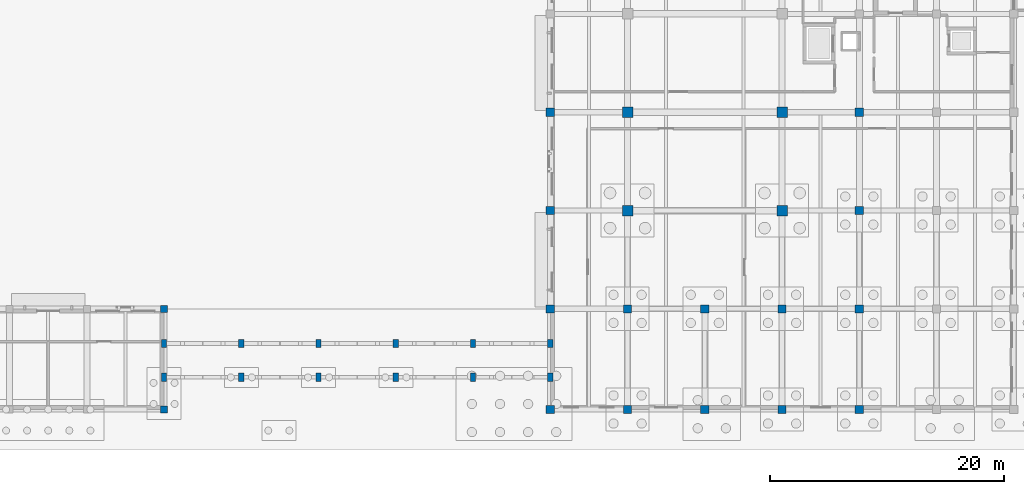
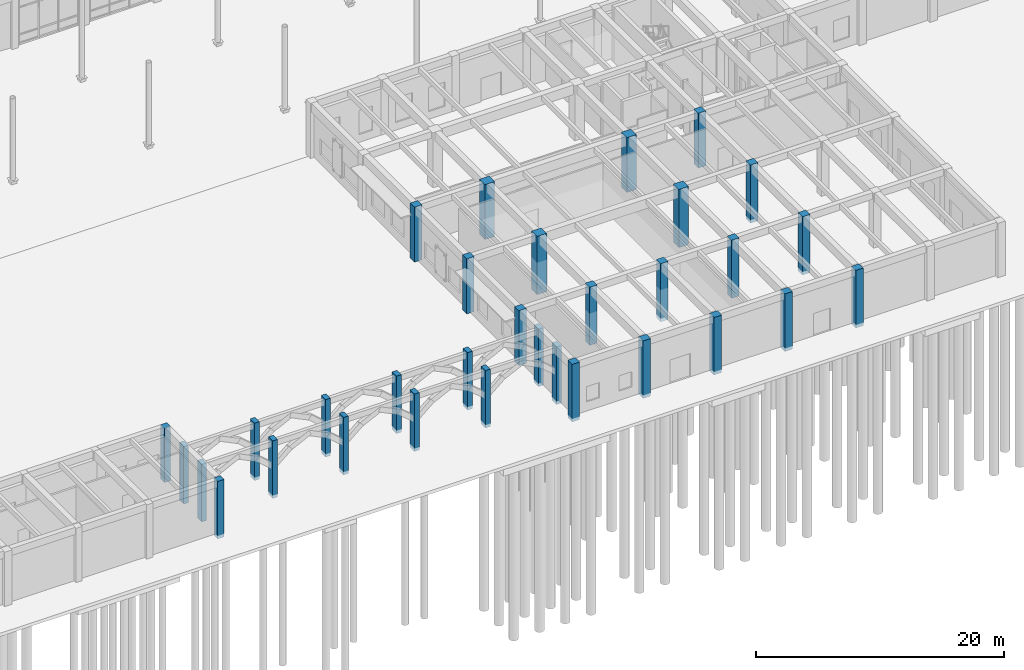
# One storey, part 12 of 82: 32 columns.
"""IFC4 building model written with IfcOpenShell, lengths in metres."""

import ifcopenshell
import ifcopenshell.guid

model = None  # the IFC model being written
_history = None  # IfcOwnerHistory: only IFC2X3 demands one
_inside = {}  # id of a spatial element -> (the spatial element, [elements in it])
_under = {}  # id of a project, library or spatial element -> (it, [spatial elements below it])
_declared = {}  # id of a project -> (the project, [libraries it declares])
_typed = {}  # id of a type object -> (the type object, [elements of that type])
_made_of = {}  # id of a material, layer set ... -> (it, [elements and type objects made of it])


def new_model(schema):
    """Start an empty IFC model of exactly this schema.

    Asked for "IFC4X3", IfcOpenShell would pick the latest addendum, in which some entities
    have other attributes; the version numbers below select the first issue.
    IFC2X3 requires an IfcOwnerHistory on every rooted entity: one is made here for all.
    """
    global model, _history
    if schema == "IFC4X3":
        model = ifcopenshell.file(schema_version=(4, 3, 0, 0))
    else:
        model = ifcopenshell.file(schema=schema)
    _inside.clear()
    _under.clear()
    _declared.clear()
    _typed.clear()
    _made_of.clear()
    _history = None
    if model.schema == "IFC2X3":
        org = make("IfcOrganization", Name="unknown")
        user = make(
            "IfcPersonAndOrganization",
            ThePerson=make("IfcPerson", FamilyName="unknown"),
            TheOrganization=org,
        )
        app = make(
            "IfcApplication",
            ApplicationDeveloper=org,
            Version="unknown",
            ApplicationFullName="unknown",
            ApplicationIdentifier="unknown",
        )
        _history = make(
            "IfcOwnerHistory",
            OwningUser=user,
            OwningApplication=app,
            ChangeAction="ADDED",
            CreationDate=0,
        )
    return model


def make(cls, **values):
    """One entity of the class cls with the attributes given. An attribute that is None is left unset."""
    return model.create_entity(
        cls, **{name: value for name, value in values.items() if value is not None}
    )


def rooted(cls, **values):
    """An entity with a GlobalId (a new one), such as an element, a storey or a relation."""
    return make(cls, GlobalId=ifcopenshell.guid.new(), OwnerHistory=_history, **values)


def si_unit(unit_type, name, prefix=None):
    """IfcSIUnit, for example si_unit("LENGTHUNIT", "METRE", prefix="MILLI")."""
    return make("IfcSIUnit", UnitType=unit_type, Prefix=prefix, Name=name)


def assignment(units):
    """IfcUnitAssignment: the units of a project."""
    return None if units is None else make("IfcUnitAssignment", Units=units)


def point(xyz):
    """IfcCartesianPoint."""
    return None if xyz is None else make("IfcCartesianPoint", Coordinates=xyz)


def direction(xyz):
    """IfcDirection."""
    return None if xyz is None else make("IfcDirection", DirectionRatios=xyz)


def frame(location, z_axis=None, x_axis=None):
    """IfcAxis2Placement3D, a coordinate frame: its origin and axes. An axis left out is left unset."""
    return make(
        "IfcAxis2Placement3D",
        Location=point(location),
        Axis=direction(z_axis),
        RefDirection=direction(x_axis),
    )


def frame_2d(location, x_axis=None):
    """IfcAxis2Placement2D, a coordinate frame in the plane: its origin and x axis."""
    return make(
        "IfcAxis2Placement2D", Location=point(location), RefDirection=direction(x_axis)
    )


def origin():
    """The frame at (0, 0, 0) with its axes left unset."""
    return frame((0.0, 0.0, 0.0))


def origin_2d():
    """The frame at (0, 0) in the plane with its x axis left unset."""
    return frame_2d((0.0, 0.0))


def place(relative_to, where):
    """IfcLocalPlacement: puts the frame where relative to a parent placement (None: the world)."""
    return make(
        "IfcLocalPlacement", PlacementRelTo=relative_to, RelativePlacement=where
    )


def context(
    kind, dimensions, precision=None, world=None, true_north=None, identifier=None
):
    """IfcGeometricRepresentationContext, for example the 3D "Model" context."""
    return make(
        "IfcGeometricRepresentationContext",
        ContextIdentifier=identifier,
        ContextType=kind,
        CoordinateSpaceDimension=dimensions,
        Precision=precision,
        WorldCoordinateSystem=world,
        TrueNorth=true_north,
    )


def subcontext(parent, identifier, kind, view, scale=None):
    """IfcGeometricRepresentationSubContext, for example "Body" below "Model"."""
    return make(
        "IfcGeometricRepresentationSubContext",
        ContextIdentifier=identifier,
        ContextType=kind,
        ParentContext=parent,
        TargetScale=scale,
        TargetView=view,
    )


def project(units=None, contexts=None):
    """IfcProject with its units and contexts."""
    return rooted(
        "IfcProject",
        Name="project",
        RepresentationContexts=contexts,
        UnitsInContext=assignment(units),
    )


def spatial(cls, under=None, at=None, **own):
    """A site, building, storey or space (cls), placed at a placement, below another one or the project."""
    s = rooted(cls, ObjectPlacement=at, **own)
    if under is not None:
        _under.setdefault(under.id(), (under, []))[1].append(s)
    return s


def profile(cls, at=None, kind="AREA", **sizes):
    """A parametric profile (cls). Its sizes go by their IFC names, for example OverallWidth=200.0."""
    return make(cls, ProfileType=kind, Position=at, **sizes)


def rectangle(**sizes):
    """IfcRectangleProfileDef."""
    return profile("IfcRectangleProfileDef", **sizes)


def extrude(swept, where, along, depth):
    """IfcExtrudedAreaSolid: the profile swept, set in the frame where, extruded along a direction by depth."""
    return make(
        "IfcExtrudedAreaSolid",
        SweptArea=swept,
        Position=where,
        ExtrudedDirection=direction(along),
        Depth=depth,
    )


def shape(context_of_items, identifier, shape_type, items):
    """IfcShapeRepresentation: the items that make up one representation, for example the "Body"."""
    return make(
        "IfcShapeRepresentation",
        ContextOfItems=context_of_items,
        RepresentationIdentifier=identifier,
        RepresentationType=shape_type,
        Items=items,
    )


def material(Name=None, Category=None):
    """IfcMaterial."""
    return make("IfcMaterial", Name=Name, Category=Category)


def material_profile(
    of_material, cross_section, Name=None, Category=None, Priority=None
):
    """IfcMaterialProfile: a cross section and its material."""
    return make(
        "IfcMaterialProfile",
        Name=Name,
        Material=of_material,
        Profile=cross_section,
        Priority=Priority,
        Category=Category,
    )


def profile_set(profiles, Name=None, composite=None):
    """IfcMaterialProfileSet."""
    return make(
        "IfcMaterialProfileSet",
        Name=Name,
        MaterialProfiles=profiles,
        CompositeProfile=composite,
    )


def made_of(thing, what):
    """Note that an element or type object is made of a material, layer set ...; save() writes the relation."""
    if what is not None:
        _made_of.setdefault(what.id(), (what, []))[1].append(thing)
    return thing


def type_object(cls, material=None, **own):
    """A type object (cls), such as IfcWallType, which elements share."""
    return made_of(rooted(cls, **own), material)


def element(
    cls,
    number,
    at=None,
    inside=None,
    cuts=None,
    type_object=None,
    material=None,
    context=None,
    identifier="Body",
    shape_type=None,
    held_by="IfcProductDefinitionShape",
    body=None,
    shapes=None,
    **own,
):
    """One element of the class cls, such as IfcWall. Its Tag is "e" and its number.

    at: its placement. inside: the storey or other place that contains it. cuts: it is an
    opening in that element (IfcRelVoidsElement). A single representation is given by context,
    identifier, shape_type and body (its items); several are given by shapes. held_by: the class
    of the entity that holds the representations. save() writes the other relations.
    """
    e = rooted(cls, Tag="e%d" % number, ObjectPlacement=at, **own)
    if body is not None:
        shapes = [shape(context, identifier, shape_type, body)]
    if shapes is not None:
        e.Representation = make(held_by, Representations=shapes)
    if inside is not None:
        _inside.setdefault(inside.id(), (inside, []))[1].append(e)
    if cuts is not None:
        rooted(
            "IfcRelVoidsElement", RelatingBuildingElement=cuts, RelatedOpeningElement=e
        )
    if type_object is not None:
        _typed.setdefault(type_object.id(), (type_object, []))[1].append(e)
    return made_of(e, material)


def aggregate(whole, parts):
    """IfcRelAggregates: a whole, such as a stair, and the parts it consists of."""
    return rooted("IfcRelAggregates", RelatingObject=whole, RelatedObjects=parts)


def save(model, path):
    """Write the relations noted so far, then the file.

    IfcRelAggregates (storeys below a building ...), IfcRelContainedInSpatialStructure (elements
    in a storey), IfcRelDefinesByType, IfcRelAssociatesMaterial and IfcRelDeclares: one each for
    every whole, place, type object, material and project.
    """
    for whole, parts in _under.values():
        aggregate(whole, parts)
    for where, things in _inside.values():
        rooted(
            "IfcRelContainedInSpatialStructure",
            RelatedElements=things,
            RelatingStructure=where,
        )
    for kind, things in _typed.values():
        rooted("IfcRelDefinesByType", RelatedObjects=things, RelatingType=kind)
    for what, things in _made_of.values():
        rooted("IfcRelAssociatesMaterial", RelatedObjects=things, RelatingMaterial=what)
    for by, libraries in _declared.values():
        rooted("IfcRelDeclares", RelatingContext=by, RelatedDefinitions=libraries)
    model.write(path)


model = new_model("IFC4")

# Units and contexts
model_context = context("Model", 3, precision=1e-05, world=origin(), true_north=direction((0.0, 1.0)))
body_context = subcontext(model_context, "Body", "Model", "MODEL_VIEW")
ifc_project = project(units=[si_unit("LENGTHUNIT", "METRE"), si_unit("AREAUNIT", "SQUARE_METRE"), si_unit("VOLUMEUNIT", "CUBIC_METRE"), si_unit("PLANEANGLEUNIT", "RADIAN"), si_unit("MASSUNIT", "GRAM", prefix="KILO")], contexts=[model_context])

# Site, building, storey
site_placement = place(None, origin())
site = spatial("IfcSite", under=ifc_project, at=site_placement, CompositionType="ELEMENT")
building_placement = place(site_placement, origin())
building = spatial("IfcBuilding", under=site, at=building_placement, Name="Kolvaren Faculty of Natural Sciences", CompositionType="ELEMENT")
storey_placement = place(building_placement, origin())
storey = spatial("IfcBuildingStorey", under=building, at=storey_placement, Name="L00", CompositionType="ELEMENT", Elevation=0.0)

# Columns
ifc_material_1 = material(Name="Concrete C35/45", Category="concrete")
ifc_material_profile_1 = material_profile(ifc_material_1, rectangle(XDim=0.60009765625, YDim=0.60009765625, at=origin_2d()), Name="RC COL 600x600")
ifc_profile_set_1 = profile_set([ifc_material_profile_1], Name="Concrete C35/45")
column_type_1 = type_object("IfcColumnType", Name="FrameColumn_600x600", PredefinedType="COLUMN", material=ifc_profile_set_1)
column_1_placement = place(storey_placement, frame((66.199951171875, 0.0, -0.320068359375), z_axis=(0.0, 0.0, 1.0), x_axis=(1.0, 0.0, 0.0)))
element("IfcColumn", 1, at=column_1_placement, inside=storey, type_object=column_type_1, Name="L00 column FC-60 at 11/A", PredefinedType="COLUMN", context=body_context, shape_type="SweptSolid", body=[
    extrude(rectangle(XDim=0.60009765625, YDim=0.60009765625, at=origin_2d()), origin(), (0.0, 0.0, 1.0), 5.66015625),
])
column_2_placement = place(storey_placement, frame((66.199951171875, 8.60009765625, 0.0), z_axis=(0.0, 0.0, 1.0), x_axis=(1.0, 0.0, 0.0)))
element("IfcColumn", 2, at=column_2_placement, inside=storey, type_object=column_type_1, Name="L00 column FC-60 at 11/B", PredefinedType="COLUMN", context=body_context, shape_type="SweptSolid", body=[
    extrude(rectangle(XDim=0.60009765625, YDim=0.60009765625, at=origin_2d()), origin(), (0.0, 0.0, 1.0), 5.340087890625),
])
ifc_material_2 = material(Name="Concrete C40/50", Category="concrete")
ifc_material_profile_2 = material_profile(ifc_material_2, rectangle(XDim=0.89990234375, YDim=0.89990234375, at=origin_2d()), Name="RC COL 900x900")
ifc_profile_set_2 = profile_set([ifc_material_profile_2], Name="Concrete C40/50")
column_type_2 = type_object("IfcColumnType", Name="MegaColumn_900x900", PredefinedType="COLUMN", material=ifc_profile_set_2)
column_3_placement = place(storey_placement, frame((105.800048828125, 17.0, -0.320068359375), z_axis=(0.0, 0.0, 1.0), x_axis=(1.0, 0.0, 0.0)))
element("IfcColumn", 3, at=column_3_placement, inside=storey, type_object=column_type_2, Name="L00 column MC-1 at 17/C", PredefinedType="COLUMN", context=body_context, shape_type="SweptSolid", body=[
    extrude(rectangle(XDim=0.89990234375, YDim=0.89990234375, at=origin_2d()), origin(), (0.0, 0.0, 1.0), 5.719970703125),
])
column_4_placement = place(storey_placement, frame((105.800048828125, 25.39990234375, 0.0), z_axis=(0.0, 0.0, 1.0), x_axis=(1.0, 0.0, 0.0)))
element("IfcColumn", 4, at=column_4_placement, inside=storey, type_object=column_type_2, Name="L00 column MC-1 at 17/D", PredefinedType="COLUMN", context=body_context, shape_type="SweptSolid", body=[
    extrude(rectangle(XDim=0.89990234375, YDim=0.89990234375, at=origin_2d()), origin(), (0.0, 0.0, 1.0), 5.39990234375),
])
column_5_placement = place(storey_placement, frame((119.0, 17.0, -0.320068359375), z_axis=(0.0, 0.0, 1.0), x_axis=(1.0, 0.0, 0.0)))
element("IfcColumn", 5, at=column_5_placement, inside=storey, type_object=column_type_2, Name="L00 column MC-1 at 19/C", PredefinedType="COLUMN", context=body_context, shape_type="SweptSolid", body=[
    extrude(rectangle(XDim=0.89990234375, YDim=0.89990234375, at=origin_2d()), origin(), (0.0, 0.0, 1.0), 5.719970703125),
])
column_6_placement = place(storey_placement, frame((119.0, 25.39990234375, 0.0), z_axis=(0.0, 0.0, 1.0), x_axis=(1.0, 0.0, 0.0)))
element("IfcColumn", 6, at=column_6_placement, inside=storey, type_object=column_type_2, Name="L00 column MC-1 at 19/D", PredefinedType="COLUMN", context=body_context, shape_type="SweptSolid", body=[
    extrude(rectangle(XDim=0.89990234375, YDim=0.89990234375, at=origin_2d()), origin(), (0.0, 0.0, 1.0), 5.39990234375),
])
ifc_material_profile_3 = material_profile(ifc_material_1, rectangle(XDim=0.449951171875, YDim=0.699951171875, at=origin_2d()), Name="RC PIL 450x700")
ifc_profile_set_3 = profile_set([ifc_material_profile_3], Name="Concrete C35/45")
column_type_3 = type_object("IfcColumnType", Name="RiwaqPilaster_450x700", PredefinedType="PILASTER", material=ifc_profile_set_3)
for number, where, z_axis, x_axis, name in (
    (7, (66.199951171875, 2.75, -0.320068359375), (0.0, 0.0, 1.0), (1.0, 0.0, 0.0), "Chahar Bagh garden colonnade pier S-66"),
    (8, (66.199951171875, 5.64990234375, -0.320068359375), (0.0, 0.0, 1.0), (1.0, 0.0, 0.0), "Chahar Bagh garden colonnade pier N-66"),
    (9, (72.800048828125, 2.75, -0.320068359375), (0.0, 0.0, 1.0), (1.0, 0.0, 0.0), "Chahar Bagh garden colonnade pier S-72"),
    (10, (72.800048828125, 5.64990234375, -0.320068359375), (0.0, 0.0, 1.0), (1.0, 0.0, 0.0), "Chahar Bagh garden colonnade pier N-72"),
    (11, (79.39990234375, 2.75, -0.320068359375), (0.0, 0.0, 1.0), (1.0, 0.0, 0.0), "Chahar Bagh garden colonnade pier S-79"),
    (12, (79.39990234375, 5.64990234375, -0.320068359375), (0.0, 0.0, 1.0), (1.0, 0.0, 0.0), "Chahar Bagh garden colonnade pier N-79"),
    (13, (86.0, 2.75, -0.320068359375), (0.0, 0.0, 1.0), (1.0, 0.0, 0.0), "Chahar Bagh garden colonnade pier S-86"),
    (14, (86.0, 5.64990234375, -0.320068359375), (0.0, 0.0, 1.0), (1.0, 0.0, 0.0), "Chahar Bagh garden colonnade pier N-86"),
    (15, (92.60009765625, 2.75, -0.320068359375), (0.0, 0.0, 1.0), (1.0, 0.0, 0.0), "Chahar Bagh garden colonnade pier S-92"),
    (16, (92.60009765625, 5.64990234375, -0.320068359375), (0.0, 0.0, 1.0), (1.0, 0.0, 0.0), "Chahar Bagh garden colonnade pier N-92"),
    (17, (99.199951171875, 2.75, -0.320068359375), (0.0, 0.0, 1.0), (1.0, 0.0, 0.0), "Chahar Bagh garden colonnade pier S-99"),
    (18, (99.199951171875, 5.64990234375, -0.320068359375), (0.0, 0.0, 1.0), (1.0, 0.0, 0.0), "Chahar Bagh garden colonnade pier N-99"),
):
    element("IfcColumn", number, at=place(storey_placement, frame(where, z_axis=z_axis, x_axis=x_axis)), inside=storey, type_object=column_type_3, Name=name, PredefinedType="PILASTER", context=body_context, shape_type="SweptSolid", body=[
        extrude(rectangle(XDim=0.449951171875, YDim=0.699951171875, at=origin_2d()), origin(), (0.0, 0.0, 1.0), 5.66015625),
    ])
ifc_material_profile_4 = material_profile(ifc_material_2, rectangle(XDim=0.699951171875, YDim=0.699951171875, at=origin_2d()), Name="RC COL 700x700")
ifc_profile_set_4 = profile_set([ifc_material_profile_4], Name="Concrete C40/50")
column_type_4 = type_object("IfcColumnType", Name="WingColumn_700x700", PredefinedType="COLUMN", material=ifc_profile_set_4)
column_7_placement = place(storey_placement, frame((99.199951171875, 0.0, -0.320068359375), z_axis=(0.0, 0.0, 1.0), x_axis=(1.0, 0.0, 0.0)))
element("IfcColumn", 19, at=column_7_placement, inside=storey, type_object=column_type_4, Name="L00 column WC-70 at 16/A", PredefinedType="COLUMN", context=body_context, shape_type="SweptSolid", body=[
    extrude(rectangle(XDim=0.699951171875, YDim=0.699951171875, at=origin_2d()), origin(), (0.0, 0.0, 1.0), 5.66015625),
])
for number, where, z_axis, x_axis, name in (
    (20, (99.199951171875, 8.60009765625, 0.0), (0.0, 0.0, 1.0), (1.0, 0.0, 0.0), "L00 column WC-70 at 16/B"),
    (21, (99.199951171875, 17.0, 0.0), (0.0, 0.0, 1.0), (1.0, 0.0, 0.0), "L00 column WC-70 at 16/C"),
    (22, (99.199951171875, 25.39990234375, 0.0), (0.0, 0.0, 1.0), (1.0, 0.0, 0.0), "L00 column WC-70 at 16/D"),
):
    element("IfcColumn", number, at=place(storey_placement, frame(where, z_axis=z_axis, x_axis=x_axis)), inside=storey, type_object=column_type_4, Name=name, PredefinedType="COLUMN", context=body_context, shape_type="SweptSolid", body=[
        extrude(rectangle(XDim=0.699951171875, YDim=0.699951171875, at=origin_2d()), origin(), (0.0, 0.0, 1.0), 5.39990234375),
    ])
column_8_placement = place(storey_placement, frame((105.800048828125, 0.0, -0.320068359375), z_axis=(0.0, 0.0, 1.0), x_axis=(1.0, 0.0, 0.0)))
element("IfcColumn", 23, at=column_8_placement, inside=storey, type_object=column_type_4, Name="L00 column WC-70 at 17/A", PredefinedType="COLUMN", context=body_context, shape_type="SweptSolid", body=[
    extrude(rectangle(XDim=0.699951171875, YDim=0.699951171875, at=origin_2d()), origin(), (0.0, 0.0, 1.0), 5.66015625),
])
column_9_placement = place(storey_placement, frame((105.800048828125, 8.60009765625, -0.320068359375), z_axis=(0.0, 0.0, 1.0), x_axis=(1.0, 0.0, 0.0)))
element("IfcColumn", 24, at=column_9_placement, inside=storey, type_object=column_type_4, Name="L00 column WC-70 at 17/B", PredefinedType="COLUMN", context=body_context, shape_type="SweptSolid", body=[
    extrude(rectangle(XDim=0.699951171875, YDim=0.699951171875, at=origin_2d()), origin(), (0.0, 0.0, 1.0), 5.719970703125),
])
column_10_placement = place(storey_placement, frame((112.39990234375, 0.0, -0.320068359375), z_axis=(0.0, 0.0, 1.0), x_axis=(1.0, 0.0, 0.0)))
element("IfcColumn", 25, at=column_10_placement, inside=storey, type_object=column_type_4, Name="L00 column WC-70 at 18/A", PredefinedType="COLUMN", context=body_context, shape_type="SweptSolid", body=[
    extrude(rectangle(XDim=0.699951171875, YDim=0.699951171875, at=origin_2d()), origin(), (0.0, 0.0, 1.0), 5.66015625),
])
column_11_placement = place(storey_placement, frame((112.39990234375, 8.60009765625, -0.320068359375), z_axis=(0.0, 0.0, 1.0), x_axis=(1.0, 0.0, 0.0)))
element("IfcColumn", 26, at=column_11_placement, inside=storey, type_object=column_type_4, Name="L00 column WC-70 at 18/B", PredefinedType="COLUMN", context=body_context, shape_type="SweptSolid", body=[
    extrude(rectangle(XDim=0.699951171875, YDim=0.699951171875, at=origin_2d()), origin(), (0.0, 0.0, 1.0), 5.719970703125),
])
column_12_placement = place(storey_placement, frame((119.0, 0.0, -0.320068359375), z_axis=(0.0, 0.0, 1.0), x_axis=(1.0, 0.0, 0.0)))
element("IfcColumn", 27, at=column_12_placement, inside=storey, type_object=column_type_4, Name="L00 column WC-70 at 19/A", PredefinedType="COLUMN", context=body_context, shape_type="SweptSolid", body=[
    extrude(rectangle(XDim=0.699951171875, YDim=0.699951171875, at=origin_2d()), origin(), (0.0, 0.0, 1.0), 5.66015625),
])
column_13_placement = place(storey_placement, frame((119.0, 8.60009765625, -0.320068359375), z_axis=(0.0, 0.0, 1.0), x_axis=(1.0, 0.0, 0.0)))
element("IfcColumn", 28, at=column_13_placement, inside=storey, type_object=column_type_4, Name="L00 column WC-70 at 19/B", PredefinedType="COLUMN", context=body_context, shape_type="SweptSolid", body=[
    extrude(rectangle(XDim=0.699951171875, YDim=0.699951171875, at=origin_2d()), origin(), (0.0, 0.0, 1.0), 5.719970703125),
])
column_14_placement = place(storey_placement, frame((125.60009765625, 0.0, -0.320068359375), z_axis=(0.0, 0.0, 1.0), x_axis=(1.0, 0.0, 0.0)))
element("IfcColumn", 29, at=column_14_placement, inside=storey, type_object=column_type_4, Name="L00 column WC-70 at 20/A", PredefinedType="COLUMN", context=body_context, shape_type="SweptSolid", body=[
    extrude(rectangle(XDim=0.699951171875, YDim=0.699951171875, at=origin_2d()), origin(), (0.0, 0.0, 1.0), 5.66015625),
])
for number, where, z_axis, x_axis, name in (
    (30, (125.60009765625, 8.60009765625, -0.320068359375), (0.0, 0.0, 1.0), (1.0, 0.0, 0.0), "L00 column WC-70 at 20/B"),
    (31, (125.60009765625, 17.0, -0.320068359375), (0.0, 0.0, 1.0), (1.0, 0.0, 0.0), "L00 column WC-70 at 20/C"),
):
    element("IfcColumn", number, at=place(storey_placement, frame(where, z_axis=z_axis, x_axis=x_axis)), inside=storey, type_object=column_type_4, Name=name, PredefinedType="COLUMN", context=body_context, shape_type="SweptSolid", body=[
        extrude(rectangle(XDim=0.699951171875, YDim=0.699951171875, at=origin_2d()), origin(), (0.0, 0.0, 1.0), 5.719970703125),
    ])
column_15_placement = place(storey_placement, frame((125.60009765625, 25.39990234375, 0.0), z_axis=(0.0, 0.0, 1.0), x_axis=(1.0, 0.0, 0.0)))
element("IfcColumn", 32, at=column_15_placement, inside=storey, type_object=column_type_4, Name="L00 column WC-70 at 20/D", PredefinedType="COLUMN", context=body_context, shape_type="SweptSolid", body=[
    extrude(rectangle(XDim=0.699951171875, YDim=0.699951171875, at=origin_2d()), origin(), (0.0, 0.0, 1.0), 5.39990234375),
])

save(model, "model.ifc")
